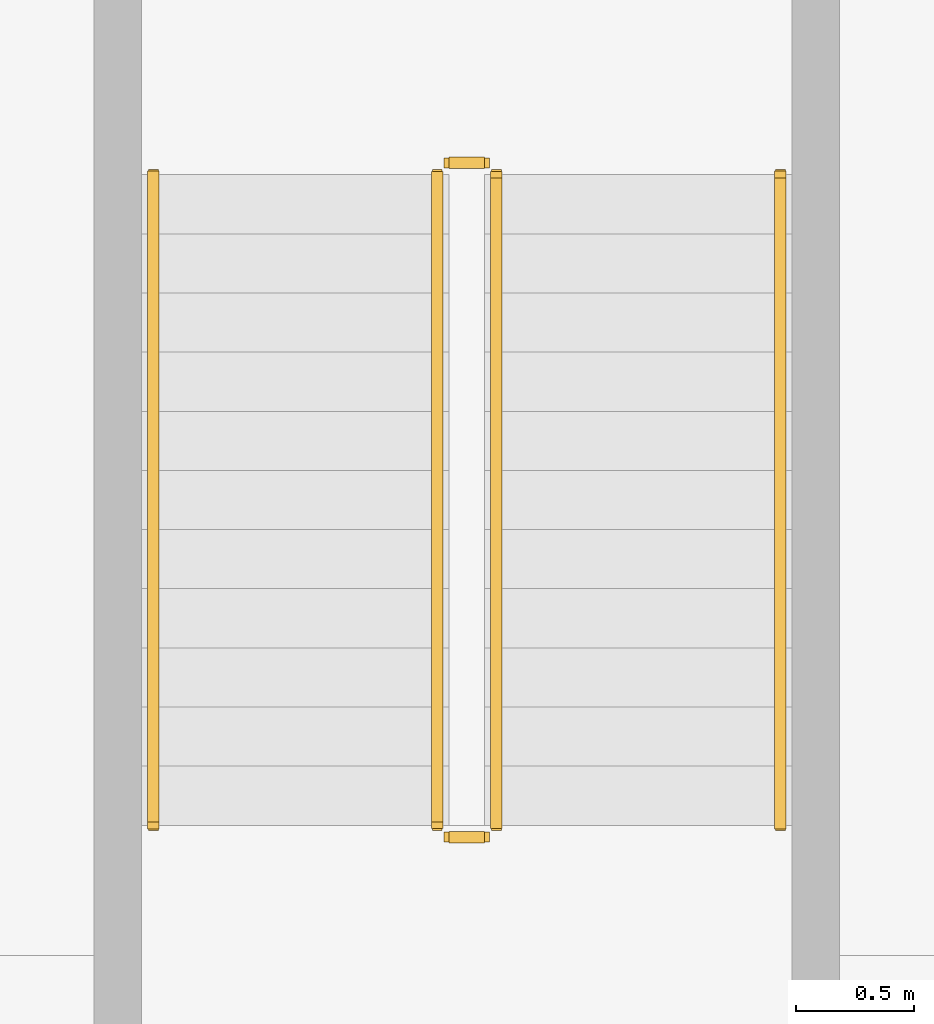
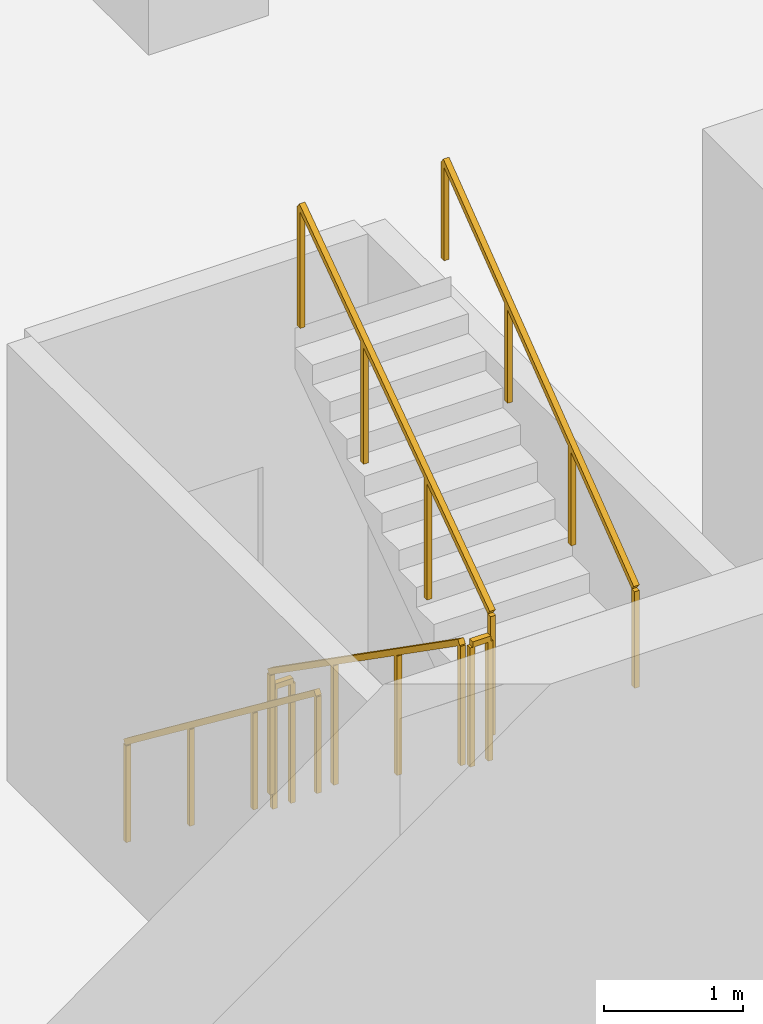
# One storey, part 17 of 21: 6 railings.
"""IFC4 building model written with IfcOpenShell, lengths in metres."""

from ifc_helpers import new_model, si_unit, direction, frame, origin, origin_2d, place, context, subcontext, project, spatial, rectangle, extrude, material, type_object, element, save


model = new_model("IFC4")

# Units and contexts
model_context = context("Model", 3, precision=1e-05, world=origin(), true_north=direction((0.0, 1.0)))
body_context = subcontext(model_context, "Body", "Model", "MODEL_VIEW")
ifc_project = project(units=[si_unit("LENGTHUNIT", "METRE"), si_unit("AREAUNIT", "SQUARE_METRE"), si_unit("VOLUMEUNIT", "CUBIC_METRE"), si_unit("PLANEANGLEUNIT", "RADIAN"), si_unit("MASSUNIT", "GRAM", prefix="KILO")], contexts=[model_context])

# Site, building, storey
site_placement = place(None, origin())
site = spatial("IfcSite", under=ifc_project, at=site_placement, CompositionType="ELEMENT")
building_placement = place(site_placement, origin())
building = spatial("IfcBuilding", under=site, at=building_placement, Name="Beryl Residences", CompositionType="ELEMENT")
storey_placement = place(building_placement, frame((0.0, 0.0, -8.39990234375)))
storey = spatial("IfcBuildingStorey", under=building, at=storey_placement, Name="B2", CompositionType="ELEMENT", Elevation=-8.39990234375)

# Railings
ifc_material_1 = material(Name="Stainless steel balustrade with glass infill", Category="steel")
railing_type_1 = type_object("IfcRailingType", Name="SG1 stair guard 1100 mm", PredefinedType="GUARDRAIL", material=ifc_material_1)
railing_1_placement = place(storey_placement, frame((27.89990234375, -27.199951171875, 0.1748046875)))
element("IfcRailing", 1, at=railing_1_placement, inside=storey, type_object=railing_type_1, Name="B2 BS-6 stair guard 1", PredefinedType="GUARDRAIL", context=body_context, shape_type="SweptSolid", body=[
    extrude(rectangle(XDim=0.048095703125, YDim=0.048095703125, at=origin_2d()), frame((0.0, 0.0, 1.076171875), z_axis=(0.0, -0.819225086817, 0.573472106672), x_axis=(1.0, 0.0, 0.0)), (0.0, 0.0, 1.0), 3.35693359375),
    extrude(rectangle(XDim=0.0419921875, YDim=0.0419921875, at=origin_2d()), origin(), (0.0, 0.0, 1.0), 1.052001953125),
    extrude(rectangle(XDim=0.0419921875, YDim=0.0419921875, at=origin_2d()), frame((0.0, -0.916748046875, 0.6416015625)), (0.0, 0.0, 1.0), 1.052001953125),
    extrude(rectangle(XDim=0.0419921875, YDim=0.0419921875, at=origin_2d()), frame((0.0, -1.833251953125, 1.283447265625)), (0.0, 0.0, 1.0), 1.052001953125),
    extrude(rectangle(XDim=0.0419921875, YDim=0.0419921875, at=origin_2d()), frame((0.0, -2.75, 1.925048828125)), (0.0, 0.0, 1.0), 1.052001953125),
])
railing_2_placement = place(storey_placement, frame((27.949951171875, -30.0, 2.099853515625)))
element("IfcRailing", 2, at=railing_2_placement, inside=storey, type_object=railing_type_1, Name="B2 BS-6 stair guard 2", PredefinedType="GUARDRAIL", context=body_context, shape_type="SweptSolid", body=[
    extrude(rectangle(XDim=0.048095703125, YDim=0.048095703125, at=origin_2d()), frame((0.0, 0.0, 1.076171875), z_axis=(1.0, 0.0, 0.0), x_axis=(0.0, 1.0, 0.0)), (0.0, 0.0, 1.0), 0.150146484375),
    extrude(rectangle(XDim=0.0419921875, YDim=0.0419921875, at=origin_2d()), origin(), (0.0, 0.0, 1.0), 1.052001953125),
    extrude(rectangle(XDim=0.0419921875, YDim=0.0419921875, at=origin_2d()), frame((0.150146484375, 0.0, 0.0)), (0.0, 0.0, 1.0), 1.052001953125),
])
railing_3_placement = place(storey_placement, frame((28.14990234375, -29.949951171875, 2.27490234375)))
element("IfcRailing", 3, at=railing_3_placement, inside=storey, type_object=railing_type_1, Name="B2 BS-6 stair guard 3", PredefinedType="GUARDRAIL", context=body_context, shape_type="SweptSolid", body=[
    extrude(rectangle(XDim=0.048095703125, YDim=0.048095703125, at=origin_2d()), frame((0.0, 0.0, 1.076171875), z_axis=(0.0, 0.819225086817, 0.573472106672), x_axis=(-1.0, 0.0, 0.0)), (0.0, 0.0, 1.0), 3.35693359375),
    extrude(rectangle(XDim=0.0419921875, YDim=0.0419921875, at=origin_2d()), origin(), (0.0, 0.0, 1.0), 1.052001953125),
    extrude(rectangle(XDim=0.0419921875, YDim=0.0419921875, at=origin_2d()), frame((0.0, 0.916748046875, 0.6416015625)), (0.0, 0.0, 1.0), 1.052001953125),
    extrude(rectangle(XDim=0.0419921875, YDim=0.0419921875, at=origin_2d()), frame((0.0, 1.833251953125, 1.283447265625)), (0.0, 0.0, 1.0), 1.052001953125),
    extrude(rectangle(XDim=0.0419921875, YDim=0.0419921875, at=origin_2d()), frame((0.0, 2.75, 1.925048828125)), (0.0, 0.0, 1.0), 1.052001953125),
])
railing_4_placement = place(storey_placement, frame((27.949951171875, -27.14990234375, 0.0)))
element("IfcRailing", 4, at=railing_4_placement, inside=storey, type_object=railing_type_1, Name="B2 BS-6 stair guard 4", PredefinedType="GUARDRAIL", context=body_context, shape_type="SweptSolid", body=[
    extrude(rectangle(XDim=0.048095703125, YDim=0.048095703125, at=origin_2d()), frame((0.0, 0.0, 1.076171875), z_axis=(1.0, 0.0, 0.0), x_axis=(0.0, 1.0, 0.0)), (0.0, 0.0, 1.0), 0.150146484375),
    extrude(rectangle(XDim=0.0419921875, YDim=0.0419921875, at=origin_2d()), origin(), (0.0, 0.0, 1.0), 1.052001953125),
    extrude(rectangle(XDim=0.0419921875, YDim=0.0419921875, at=origin_2d()), frame((0.150146484375, 0.0, 0.0)), (0.0, 0.0, 1.0), 1.052001953125),
])
ifc_material_2 = material(Name="Stainless steel handrail", Category="steel")
railing_type_2 = type_object("IfcRailingType", Name="SRL1 stair handrail 900 mm", PredefinedType="HANDRAIL", material=ifc_material_2)
railing_5_placement = place(storey_placement, frame((26.699951171875, -27.199951171875, 0.1748046875)))
element("IfcRailing", 5, at=railing_5_placement, inside=storey, type_object=railing_type_2, Name="B2 BS-6 stair handrail 1", PredefinedType="HANDRAIL", context=body_context, shape_type="SweptSolid", body=[
    extrude(rectangle(XDim=0.048095703125, YDim=0.048095703125, at=origin_2d()), frame((0.0, 0.0, 0.8759765625), z_axis=(0.0, -0.794754200304, 0.60693143031), x_axis=(1.0, 0.0, 0.0)), (0.0, 0.0, 1.0), 3.460205078125),
    extrude(rectangle(XDim=0.0419921875, YDim=0.0419921875, at=origin_2d()), origin(), (0.0, 0.0, 1.0), 0.851806640625),
    extrude(rectangle(XDim=0.0419921875, YDim=0.0419921875, at=origin_2d()), frame((0.0, -0.916748046875, 0.699951171875)), (0.0, 0.0, 1.0), 0.851806640625),
    extrude(rectangle(XDim=0.0419921875, YDim=0.0419921875, at=origin_2d()), frame((0.0, -1.833251953125, 1.400146484375)), (0.0, 0.0, 1.0), 0.851806640625),
    extrude(rectangle(XDim=0.0419921875, YDim=0.0419921875, at=origin_2d()), frame((0.0, -2.75, 2.10009765625)), (0.0, 0.0, 1.0), 0.851806640625),
])
railing_6_placement = place(storey_placement, frame((29.35009765625, -29.949951171875, 2.27490234375)))
element("IfcRailing", 6, at=railing_6_placement, inside=storey, type_object=railing_type_2, Name="B2 BS-6 stair handrail 2", PredefinedType="HANDRAIL", context=body_context, shape_type="SweptSolid", body=[
    extrude(rectangle(XDim=0.048095703125, YDim=0.048095703125, at=origin_2d()), frame((0.0, 0.0, 0.8759765625), z_axis=(0.0, 0.794754200304, 0.60693143031), x_axis=(-1.0, 0.0, 0.0)), (0.0, 0.0, 1.0), 3.460205078125),
    extrude(rectangle(XDim=0.0419921875, YDim=0.0419921875, at=origin_2d()), origin(), (0.0, 0.0, 1.0), 0.851806640625),
    extrude(rectangle(XDim=0.0419921875, YDim=0.0419921875, at=origin_2d()), frame((0.0, 0.916748046875, 0.699951171875)), (0.0, 0.0, 1.0), 0.851806640625),
    extrude(rectangle(XDim=0.0419921875, YDim=0.0419921875, at=origin_2d()), frame((0.0, 1.833251953125, 1.400146484375)), (0.0, 0.0, 1.0), 0.851806640625),
    extrude(rectangle(XDim=0.0419921875, YDim=0.0419921875, at=origin_2d()), frame((0.0, 2.75, 2.10009765625)), (0.0, 0.0, 1.0), 0.851806640625),
])

save(model, "model.ifc")
